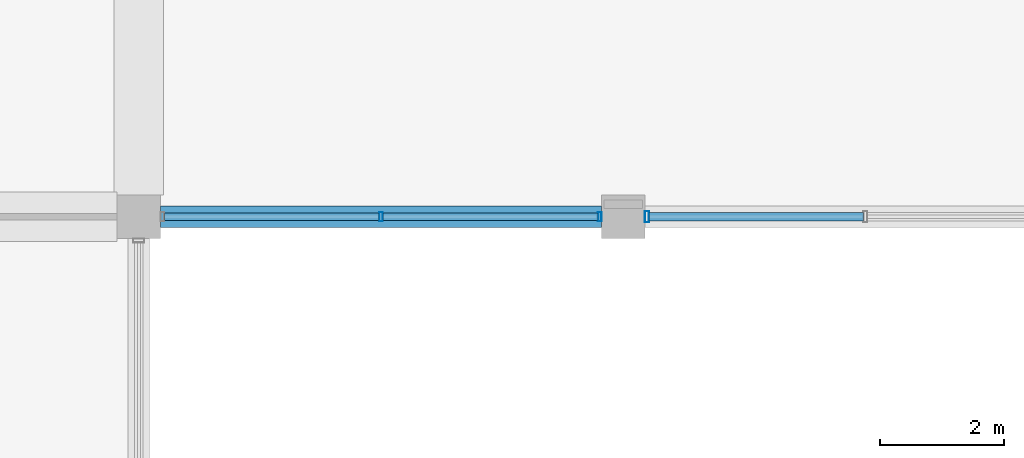
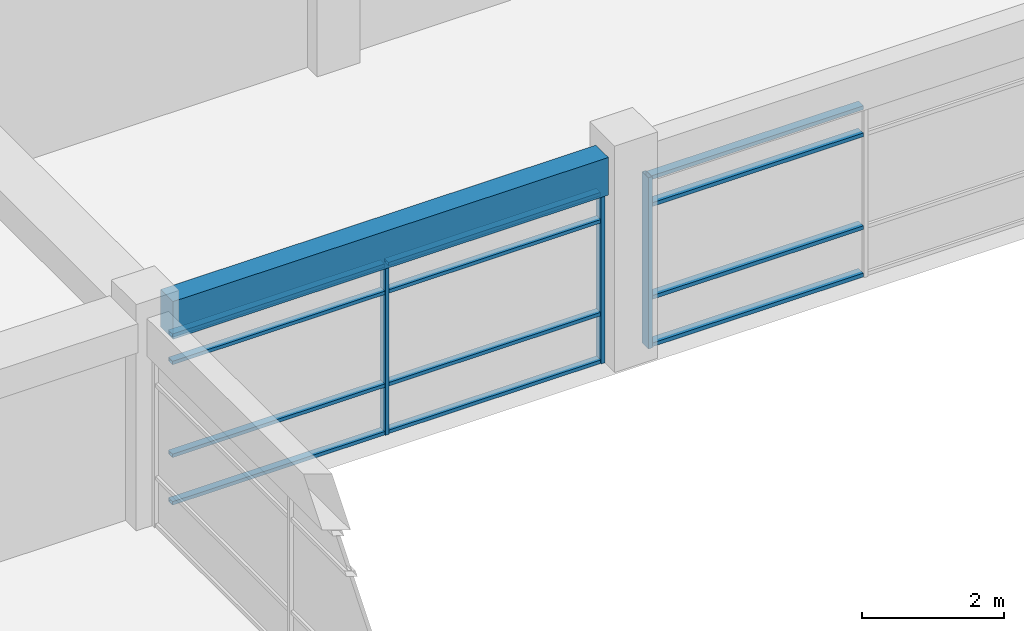
# One storey, part 30 of 72: 15 members, 1 beam, 2 elements without a shape of their own.
"""IFC4 building model written with IfcOpenShell, lengths in metres."""

from ifc_helpers import new_model, si_unit, direction, frame, origin, origin_2d, place, context, subcontext, project, spatial, rectangle, hollow_rectangle, extrude, material, material_profile, profile_set, type_object, element, aggregate, save


model = new_model("IFC4")

# Units and contexts
model_context = context("Model", 3, precision=1e-05, world=origin(), true_north=direction((0.0, 1.0)))
body_context = subcontext(model_context, "Body", "Model", "MODEL_VIEW")
ifc_project = project(units=[si_unit("LENGTHUNIT", "METRE"), si_unit("AREAUNIT", "SQUARE_METRE"), si_unit("VOLUMEUNIT", "CUBIC_METRE"), si_unit("PLANEANGLEUNIT", "RADIAN"), si_unit("MASSUNIT", "GRAM", prefix="KILO"), si_unit("THERMODYNAMICTEMPERATUREUNIT", "KELVIN"), si_unit("POWERUNIT", "WATT")], contexts=[model_context])

# Site, building, storey
site_placement = place(None, origin())
site = spatial("IfcSite", under=ifc_project, at=site_placement, CompositionType="ELEMENT")
building_placement = place(site_placement, origin())
building = spatial("IfcBuilding", under=site, at=building_placement, Name="Srebrne Nadtorze General Hospital", CompositionType="ELEMENT")
storey_placement = place(building_placement, frame((0.0, 0.0, 22.199951171875)))
storey = spatial("IfcBuildingStorey", under=building, at=storey_placement, Name="L05", CompositionType="ELEMENT", Elevation=22.199951171875)

# Curtain wall, members
ifc_material_1 = material(Name="Anodised Aluminium", Category="aluminium")
curtain_wall_type = type_object("IfcCurtainWallType", Name="Unitised curtain wall 7100x2950", PredefinedType="NOTDEFINED", material=ifc_material_1)
curtain_wall_1_placement = place(storey_placement, origin())
curtain_wall_1 = element("IfcCurtainWall", 1, at=curtain_wall_1_placement, inside=storey, type_object=curtain_wall_type, Name="Curtain wall CW-116", PredefinedType="NOTDEFINED")
ifc_material_2 = material(Name="Anodised Aluminium", Category="aluminium")
ifc_material_profile_1 = material_profile(ifc_material_2, hollow_rectangle(XDim=0.06005859375, YDim=0.14990234375, WallThickness=0.00390625, at=origin_2d()), Name="AL-MUL-60x150")
ifc_profile_set_1 = profile_set([ifc_material_profile_1], Name="Anodised Aluminium")
member_type_1 = type_object("IfcMemberType", Name="Curtain mullion 60x150", PredefinedType="MULLION", material=ifc_profile_set_1)
member_1_placement = place(storey_placement, frame((120.89990234375, 25.199951171875, 0.0), z_axis=(0.0, 0.0, 1.0), x_axis=(1.0, 0.0, 0.0)))
member_1 = element("IfcMember", 2, at=member_1_placement, type_object=member_type_1, Name="CW-116 mullion 2", PredefinedType="MULLION", context=body_context, shape_type="SweptSolid", body=[
    extrude(hollow_rectangle(XDim=0.06005859375, YDim=0.14990234375, WallThickness=0.00390625, at=origin_2d()), origin(), (0.0, 0.0, 1.0), 2.949951171875),
])
member_2_placement = place(storey_placement, frame((124.419921875, 25.199951171875, 0.0), z_axis=(0.0, 0.0, 1.0), x_axis=(1.0, 0.0, 0.0)))
member_2 = element("IfcMember", 3, at=member_2_placement, type_object=member_type_1, Name="CW-116 mullion 3", PredefinedType="MULLION", context=body_context, shape_type="SweptSolid", body=[
    extrude(hollow_rectangle(XDim=0.06005859375, YDim=0.14990234375, WallThickness=0.00390625, at=origin_2d()), origin(), (0.0, 0.0, 1.0), 2.949951171875),
])

# Curtain wall, member
curtain_wall_2_placement = place(storey_placement, origin())
curtain_wall_2 = element("IfcCurtainWall", 4, at=curtain_wall_2_placement, inside=storey, type_object=curtain_wall_type, Name="Curtain wall CW-117", PredefinedType="NOTDEFINED")
ifc_material_3 = material(Name="Anodised Aluminium", Category="aluminium")
ifc_material_profile_2 = material_profile(ifc_material_3, hollow_rectangle(XDim=0.06494140625, YDim=0.179931640625, WallThickness=0.00390625, at=origin_2d()), Name="AL-MUL-65x180")
ifc_profile_set_2 = profile_set([ifc_material_profile_2], Name="Anodised Aluminium")
member_type_2 = type_object("IfcMemberType", Name="Curtain mullion 65x180", PredefinedType="MULLION", material=ifc_profile_set_2)
member_3_placement = place(storey_placement, frame((125.1826171875, 25.199951171875, 0.0), z_axis=(0.0, 0.0, 1.0), x_axis=(1.0, 0.0, 0.0)))
member_3 = element("IfcMember", 5, at=member_3_placement, type_object=member_type_2, Name="CW-117 mullion 1", PredefinedType="MULLION", context=body_context, shape_type="SweptSolid", body=[
    extrude(hollow_rectangle(XDim=0.06494140625, YDim=0.179931640625, WallThickness=0.00390625, at=origin_2d()), origin(), (0.0, 0.0, 1.0), 2.949951171875),
])

# Member
ifc_material_4 = material(Name="Anodised Aluminium", Category="aluminium")
ifc_material_profile_3 = material_profile(ifc_material_4, hollow_rectangle(XDim=0.06005859375, YDim=0.1201171875, WallThickness=0.00390625, at=origin_2d()), Name="AL-TRN-60x120")
ifc_profile_set_3 = profile_set([ifc_material_profile_3], Name="Anodised Aluminium")
member_type_3 = type_object("IfcMemberType", Name="Curtain transom 60x120", PredefinedType="USERDEFINED", material=ifc_profile_set_3)
member_4_placement = place(storey_placement, frame((117.409912109375, 25.199951171875, 0.030029296875), z_axis=(1.0, 0.0, 0.0), x_axis=(0.0, 0.0, 1.0)))
member_4 = element("IfcMember", 6, at=member_4_placement, type_object=member_type_3, Name="CW-116 transom 1.1", ObjectType="TRANSOM", PredefinedType="USERDEFINED", context=body_context, shape_type="SweptSolid", body=[
    extrude(hollow_rectangle(XDim=0.06005859375, YDim=0.1201171875, WallThickness=0.00390625, at=origin_2d()), origin(), (0.0, 0.0, 1.0), 3.460205078125),
])

member_5_placement = place(storey_placement, frame((117.409912109375, 25.199951171875, 0.85009765625), z_axis=(1.0, 0.0, 0.0), x_axis=(0.0, 0.0, 1.0)))
member_5 = element("IfcMember", 7, at=member_5_placement, type_object=member_type_3, Name="CW-116 transom 1.2", ObjectType="TRANSOM", PredefinedType="USERDEFINED", context=body_context, shape_type="SweptSolid", body=[
    extrude(hollow_rectangle(XDim=0.06005859375, YDim=0.1201171875, WallThickness=0.00390625, at=origin_2d()), origin(), (0.0, 0.0, 1.0), 3.460205078125),
])

member_6_placement = place(storey_placement, frame((117.409912109375, 25.199951171875, 2.449951171875), z_axis=(1.0, 0.0, 0.0), x_axis=(0.0, 0.0, 1.0)))
member_6 = element("IfcMember", 8, at=member_6_placement, type_object=member_type_3, Name="CW-116 transom 1.3", ObjectType="TRANSOM", PredefinedType="USERDEFINED", context=body_context, shape_type="SweptSolid", body=[
    extrude(hollow_rectangle(XDim=0.06005859375, YDim=0.1201171875, WallThickness=0.00390625, at=origin_2d()), origin(), (0.0, 0.0, 1.0), 3.460205078125),
])

member_7_placement = place(storey_placement, frame((117.409912109375, 25.199951171875, 2.920166015625), z_axis=(1.0, 0.0, 0.0), x_axis=(0.0, 0.0, 1.0)))
member_7 = element("IfcMember", 9, at=member_7_placement, type_object=member_type_3, Name="CW-116 transom 1.4", ObjectType="TRANSOM", PredefinedType="USERDEFINED", context=body_context, shape_type="SweptSolid", body=[
    extrude(hollow_rectangle(XDim=0.06005859375, YDim=0.1201171875, WallThickness=0.00390625, at=origin_2d()), origin(), (0.0, 0.0, 1.0), 3.460205078125),
])

member_8_placement = place(storey_placement, frame((120.929931640625, 25.199951171875, 0.030029296875), z_axis=(1.0, 0.0, 0.0), x_axis=(0.0, 0.0, 1.0)))
member_8 = element("IfcMember", 10, at=member_8_placement, type_object=member_type_3, Name="CW-116 transom 2.1", ObjectType="TRANSOM", PredefinedType="USERDEFINED", context=body_context, shape_type="SweptSolid", body=[
    extrude(hollow_rectangle(XDim=0.06005859375, YDim=0.1201171875, WallThickness=0.00390625, at=origin_2d()), origin(), (0.0, 0.0, 1.0), 3.4599609375),
])

member_9_placement = place(storey_placement, frame((120.929931640625, 25.199951171875, 0.85009765625), z_axis=(1.0, 0.0, 0.0), x_axis=(0.0, 0.0, 1.0)))
member_9 = element("IfcMember", 11, at=member_9_placement, type_object=member_type_3, Name="CW-116 transom 2.2", ObjectType="TRANSOM", PredefinedType="USERDEFINED", context=body_context, shape_type="SweptSolid", body=[
    extrude(hollow_rectangle(XDim=0.06005859375, YDim=0.1201171875, WallThickness=0.00390625, at=origin_2d()), origin(), (0.0, 0.0, 1.0), 3.4599609375),
])

member_10_placement = place(storey_placement, frame((120.929931640625, 25.199951171875, 2.449951171875), z_axis=(1.0, 0.0, 0.0), x_axis=(0.0, 0.0, 1.0)))
member_10 = element("IfcMember", 12, at=member_10_placement, type_object=member_type_3, Name="CW-116 transom 2.3", ObjectType="TRANSOM", PredefinedType="USERDEFINED", context=body_context, shape_type="SweptSolid", body=[
    extrude(hollow_rectangle(XDim=0.06005859375, YDim=0.1201171875, WallThickness=0.00390625, at=origin_2d()), origin(), (0.0, 0.0, 1.0), 3.4599609375),
])

member_11_placement = place(storey_placement, frame((120.929931640625, 25.199951171875, 2.920166015625), z_axis=(1.0, 0.0, 0.0), x_axis=(0.0, 0.0, 1.0)))
member_11 = element("IfcMember", 13, at=member_11_placement, type_object=member_type_3, Name="CW-116 transom 2.4", ObjectType="TRANSOM", PredefinedType="USERDEFINED", context=body_context, shape_type="SweptSolid", body=[
    extrude(hollow_rectangle(XDim=0.06005859375, YDim=0.1201171875, WallThickness=0.00390625, at=origin_2d()), origin(), (0.0, 0.0, 1.0), 3.4599609375),
])

aggregate(curtain_wall_1, [member_1, member_2, member_4, member_5, member_6, member_7, member_8, member_9, member_10, member_11])

ifc_material_5 = material(Name="Anodised Aluminium", Category="aluminium")
ifc_material_profile_4 = material_profile(ifc_material_5, hollow_rectangle(XDim=0.06494140625, YDim=0.139892578125, WallThickness=0.00390625, at=origin_2d()), Name="AL-TRN-65x140")
ifc_profile_set_4 = profile_set([ifc_material_profile_4], Name="Anodised Aluminium")
member_type_4 = type_object("IfcMemberType", Name="Curtain transom 65x140", PredefinedType="USERDEFINED", material=ifc_profile_set_4)
member_12_placement = place(storey_placement, frame((125.215087890625, 25.199951171875, 0.032470703125), z_axis=(1.0, 0.0, 0.0), x_axis=(0.0, 0.0, 1.0)))
member_12 = element("IfcMember", 14, at=member_12_placement, type_object=member_type_4, Name="CW-117 transom 1.1", ObjectType="TRANSOM", PredefinedType="USERDEFINED", context=body_context, shape_type="SweptSolid", body=[
    extrude(hollow_rectangle(XDim=0.06494140625, YDim=0.139892578125, WallThickness=0.00390625, at=origin_2d()), origin(), (0.0, 0.0, 1.0), 3.452392578125),
])

member_13_placement = place(storey_placement, frame((125.215087890625, 25.199951171875, 0.85009765625), z_axis=(1.0, 0.0, 0.0), x_axis=(0.0, 0.0, 1.0)))
member_13 = element("IfcMember", 15, at=member_13_placement, type_object=member_type_4, Name="CW-117 transom 1.2", ObjectType="TRANSOM", PredefinedType="USERDEFINED", context=body_context, shape_type="SweptSolid", body=[
    extrude(hollow_rectangle(XDim=0.06494140625, YDim=0.139892578125, WallThickness=0.00390625, at=origin_2d()), origin(), (0.0, 0.0, 1.0), 3.452392578125),
])

member_14_placement = place(storey_placement, frame((125.215087890625, 25.199951171875, 2.449951171875), z_axis=(1.0, 0.0, 0.0), x_axis=(0.0, 0.0, 1.0)))
member_14 = element("IfcMember", 16, at=member_14_placement, type_object=member_type_4, Name="CW-117 transom 1.3", ObjectType="TRANSOM", PredefinedType="USERDEFINED", context=body_context, shape_type="SweptSolid", body=[
    extrude(hollow_rectangle(XDim=0.06494140625, YDim=0.139892578125, WallThickness=0.00390625, at=origin_2d()), origin(), (0.0, 0.0, 1.0), 3.452392578125),
])

member_15_placement = place(storey_placement, frame((125.215087890625, 25.199951171875, 2.91748046875), z_axis=(1.0, 0.0, 0.0), x_axis=(0.0, 0.0, 1.0)))
member_15 = element("IfcMember", 17, at=member_15_placement, type_object=member_type_4, Name="CW-117 transom 1.4", ObjectType="TRANSOM", PredefinedType="USERDEFINED", context=body_context, shape_type="SweptSolid", body=[
    extrude(hollow_rectangle(XDim=0.06494140625, YDim=0.139892578125, WallThickness=0.00390625, at=origin_2d()), origin(), (0.0, 0.0, 1.0), 3.452392578125),
])

aggregate(curtain_wall_2, [member_3, member_12, member_13, member_14, member_15])

# Beam
ifc_material_6 = material(Name="Concrete C35/45", Category="concrete")
ifc_material_profile_5 = material_profile(ifc_material_6, rectangle(XDim=0.35009765625, YDim=0.64990234375, at=origin_2d()), Name="RC-BM-350x650")
ifc_profile_set_5 = profile_set([ifc_material_profile_5], Name="Concrete C35/45")
beam_type = type_object("IfcBeamType", Name="Edge beam RC 350x650", PredefinedType="BEAM", material=ifc_profile_set_5)
beam_placement = place(storey_placement, frame((117.35009765625, 25.199951171875, 3.275146484375), z_axis=(1.0, 0.0, 0.0), x_axis=(0.0, 1.0, 0.0)))
element("IfcBeam", 18, at=beam_placement, inside=storey, type_object=beam_type, Name="Beam BM-L05-X-1014", PredefinedType="BEAM", context=body_context, shape_type="SweptSolid", body=[
    extrude(rectangle(XDim=0.35009765625, YDim=0.64990234375, at=origin_2d()), origin(), (0.0, 0.0, 1.0), 7.099853515625),
])

save(model, "model.ifc")
